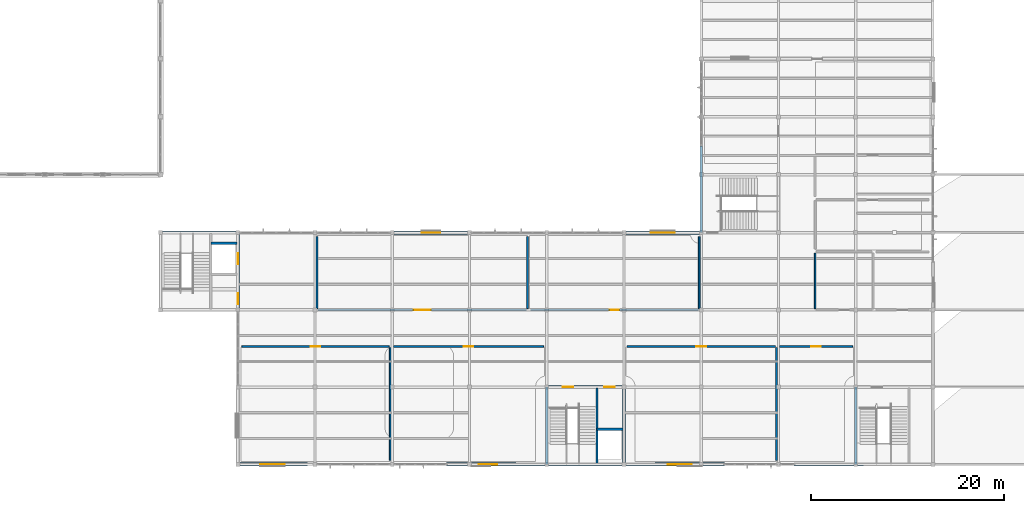
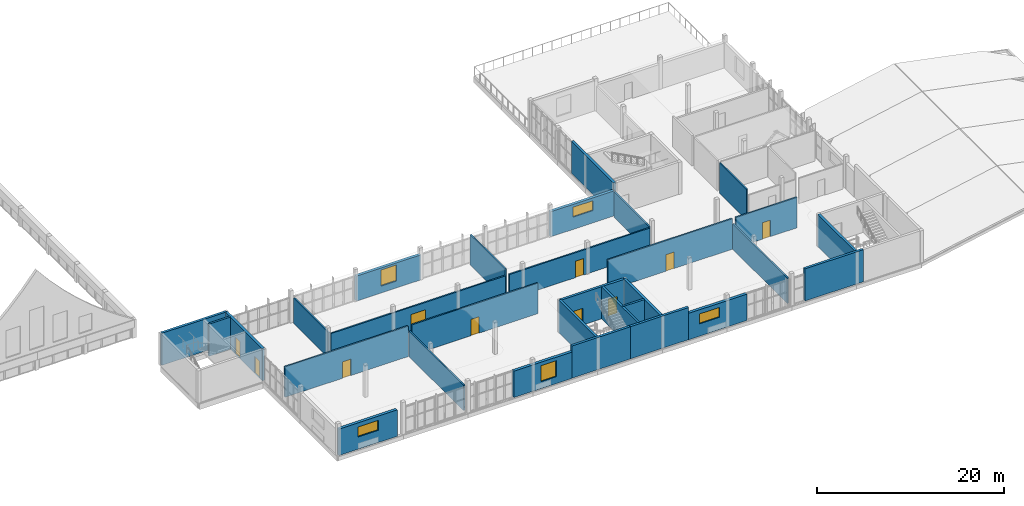
# One storey, part 36 of 45: 30 walls, 10 doors, 5 windows, 15 openings.
"""IFC4 building model written with IfcOpenShell, lengths in metres."""

import ifcopenshell
import ifcopenshell.guid

model = None  # the IFC model being written
_history = None  # IfcOwnerHistory: only IFC2X3 demands one
_inside = {}  # id of a spatial element -> (the spatial element, [elements in it])
_under = {}  # id of a project, library or spatial element -> (it, [spatial elements below it])
_declared = {}  # id of a project -> (the project, [libraries it declares])
_typed = {}  # id of a type object -> (the type object, [elements of that type])
_made_of = {}  # id of a material, layer set ... -> (it, [elements and type objects made of it])


def new_model(schema):
    """Start an empty IFC model of exactly this schema.

    Asked for "IFC4X3", IfcOpenShell would pick the latest addendum, in which some entities
    have other attributes; the version numbers below select the first issue.
    IFC2X3 requires an IfcOwnerHistory on every rooted entity: one is made here for all.
    """
    global model, _history
    if schema == "IFC4X3":
        model = ifcopenshell.file(schema_version=(4, 3, 0, 0))
    else:
        model = ifcopenshell.file(schema=schema)
    _inside.clear()
    _under.clear()
    _declared.clear()
    _typed.clear()
    _made_of.clear()
    _history = None
    if model.schema == "IFC2X3":
        org = make("IfcOrganization", Name="unknown")
        user = make(
            "IfcPersonAndOrganization",
            ThePerson=make("IfcPerson", FamilyName="unknown"),
            TheOrganization=org,
        )
        app = make(
            "IfcApplication",
            ApplicationDeveloper=org,
            Version="unknown",
            ApplicationFullName="unknown",
            ApplicationIdentifier="unknown",
        )
        _history = make(
            "IfcOwnerHistory",
            OwningUser=user,
            OwningApplication=app,
            ChangeAction="ADDED",
            CreationDate=0,
        )
    return model


def make(cls, **values):
    """One entity of the class cls with the attributes given. An attribute that is None is left unset."""
    return model.create_entity(
        cls, **{name: value for name, value in values.items() if value is not None}
    )


def rooted(cls, **values):
    """An entity with a GlobalId (a new one), such as an element, a storey or a relation."""
    return make(cls, GlobalId=ifcopenshell.guid.new(), OwnerHistory=_history, **values)


def si_unit(unit_type, name, prefix=None):
    """IfcSIUnit, for example si_unit("LENGTHUNIT", "METRE", prefix="MILLI")."""
    return make("IfcSIUnit", UnitType=unit_type, Prefix=prefix, Name=name)


def assignment(units):
    """IfcUnitAssignment: the units of a project."""
    return None if units is None else make("IfcUnitAssignment", Units=units)


def point(xyz):
    """IfcCartesianPoint."""
    return None if xyz is None else make("IfcCartesianPoint", Coordinates=xyz)


def direction(xyz):
    """IfcDirection."""
    return None if xyz is None else make("IfcDirection", DirectionRatios=xyz)


def frame(location, z_axis=None, x_axis=None):
    """IfcAxis2Placement3D, a coordinate frame: its origin and axes. An axis left out is left unset."""
    return make(
        "IfcAxis2Placement3D",
        Location=point(location),
        Axis=direction(z_axis),
        RefDirection=direction(x_axis),
    )


def frame_2d(location, x_axis=None):
    """IfcAxis2Placement2D, a coordinate frame in the plane: its origin and x axis."""
    return make(
        "IfcAxis2Placement2D", Location=point(location), RefDirection=direction(x_axis)
    )


def origin():
    """The frame at (0, 0, 0) with its axes left unset."""
    return frame((0.0, 0.0, 0.0))


def place(relative_to, where):
    """IfcLocalPlacement: puts the frame where relative to a parent placement (None: the world)."""
    return make(
        "IfcLocalPlacement", PlacementRelTo=relative_to, RelativePlacement=where
    )


def context(
    kind, dimensions, precision=None, world=None, true_north=None, identifier=None
):
    """IfcGeometricRepresentationContext, for example the 3D "Model" context."""
    return make(
        "IfcGeometricRepresentationContext",
        ContextIdentifier=identifier,
        ContextType=kind,
        CoordinateSpaceDimension=dimensions,
        Precision=precision,
        WorldCoordinateSystem=world,
        TrueNorth=true_north,
    )


def subcontext(parent, identifier, kind, view, scale=None):
    """IfcGeometricRepresentationSubContext, for example "Body" below "Model"."""
    return make(
        "IfcGeometricRepresentationSubContext",
        ContextIdentifier=identifier,
        ContextType=kind,
        ParentContext=parent,
        TargetScale=scale,
        TargetView=view,
    )


def project(units=None, contexts=None):
    """IfcProject with its units and contexts."""
    return rooted(
        "IfcProject",
        Name="project",
        RepresentationContexts=contexts,
        UnitsInContext=assignment(units),
    )


def spatial(cls, under=None, at=None, **own):
    """A site, building, storey or space (cls), placed at a placement, below another one or the project."""
    s = rooted(cls, ObjectPlacement=at, **own)
    if under is not None:
        _under.setdefault(under.id(), (under, []))[1].append(s)
    return s


def profile(cls, at=None, kind="AREA", **sizes):
    """A parametric profile (cls). Its sizes go by their IFC names, for example OverallWidth=200.0."""
    return make(cls, ProfileType=kind, Position=at, **sizes)


def rectangle(**sizes):
    """IfcRectangleProfileDef."""
    return profile("IfcRectangleProfileDef", **sizes)


def extrude(swept, where, along, depth):
    """IfcExtrudedAreaSolid: the profile swept, set in the frame where, extruded along a direction by depth."""
    return make(
        "IfcExtrudedAreaSolid",
        SweptArea=swept,
        Position=where,
        ExtrudedDirection=direction(along),
        Depth=depth,
    )


def shape(context_of_items, identifier, shape_type, items):
    """IfcShapeRepresentation: the items that make up one representation, for example the "Body"."""
    return make(
        "IfcShapeRepresentation",
        ContextOfItems=context_of_items,
        RepresentationIdentifier=identifier,
        RepresentationType=shape_type,
        Items=items,
    )


def material(Name=None, Category=None):
    """IfcMaterial."""
    return make("IfcMaterial", Name=Name, Category=Category)


def layer(
    of_material, thickness, ventilated=None, Name=None, Category=None, Priority=None
):
    """IfcMaterialLayer: one layer of a wall or slab, of a material (None: an air gap)."""
    return make(
        "IfcMaterialLayer",
        Material=of_material,
        LayerThickness=thickness,
        IsVentilated=ventilated,
        Name=Name,
        Category=Category,
        Priority=Priority,
    )


def layer_set(layers, Name=None):
    """IfcMaterialLayerSet."""
    return make("IfcMaterialLayerSet", MaterialLayers=layers, LayerSetName=Name)


def made_of(thing, what):
    """Note that an element or type object is made of a material, layer set ...; save() writes the relation."""
    if what is not None:
        _made_of.setdefault(what.id(), (what, []))[1].append(thing)
    return thing


def type_object(cls, material=None, **own):
    """A type object (cls), such as IfcWallType, which elements share."""
    return made_of(rooted(cls, **own), material)


def element(
    cls,
    number,
    at=None,
    inside=None,
    cuts=None,
    type_object=None,
    material=None,
    context=None,
    identifier="Body",
    shape_type=None,
    held_by="IfcProductDefinitionShape",
    body=None,
    shapes=None,
    **own,
):
    """One element of the class cls, such as IfcWall. Its Tag is "e" and its number.

    at: its placement. inside: the storey or other place that contains it. cuts: it is an
    opening in that element (IfcRelVoidsElement). A single representation is given by context,
    identifier, shape_type and body (its items); several are given by shapes. held_by: the class
    of the entity that holds the representations. save() writes the other relations.
    """
    e = rooted(cls, Tag="e%d" % number, ObjectPlacement=at, **own)
    if body is not None:
        shapes = [shape(context, identifier, shape_type, body)]
    if shapes is not None:
        e.Representation = make(held_by, Representations=shapes)
    if inside is not None:
        _inside.setdefault(inside.id(), (inside, []))[1].append(e)
    if cuts is not None:
        rooted(
            "IfcRelVoidsElement", RelatingBuildingElement=cuts, RelatedOpeningElement=e
        )
    if type_object is not None:
        _typed.setdefault(type_object.id(), (type_object, []))[1].append(e)
    return made_of(e, material)


def fill(opening, filler):
    """IfcRelFillsElement: the door or window that sits in an opening."""
    return rooted(
        "IfcRelFillsElement",
        RelatingOpeningElement=opening,
        RelatedBuildingElement=filler,
    )


def aggregate(whole, parts):
    """IfcRelAggregates: a whole, such as a stair, and the parts it consists of."""
    return rooted("IfcRelAggregates", RelatingObject=whole, RelatedObjects=parts)


def save(model, path):
    """Write the relations noted so far, then the file.

    IfcRelAggregates (storeys below a building ...), IfcRelContainedInSpatialStructure (elements
    in a storey), IfcRelDefinesByType, IfcRelAssociatesMaterial and IfcRelDeclares: one each for
    every whole, place, type object, material and project.
    """
    for whole, parts in _under.values():
        aggregate(whole, parts)
    for where, things in _inside.values():
        rooted(
            "IfcRelContainedInSpatialStructure",
            RelatedElements=things,
            RelatingStructure=where,
        )
    for kind, things in _typed.values():
        rooted("IfcRelDefinesByType", RelatedObjects=things, RelatingType=kind)
    for what, things in _made_of.values():
        rooted("IfcRelAssociatesMaterial", RelatedObjects=things, RelatingMaterial=what)
    for by, libraries in _declared.values():
        rooted("IfcRelDeclares", RelatingContext=by, RelatedDefinitions=libraries)
    model.write(path)


model = new_model("IFC4")

# Units and contexts
model_context = context("Model", 3, precision=1e-05, world=origin(), true_north=direction((0.0, 1.0)))
body_context = subcontext(model_context, "Body", "Model", "MODEL_VIEW")
ifc_project = project(units=[si_unit("LENGTHUNIT", "METRE"), si_unit("AREAUNIT", "SQUARE_METRE"), si_unit("VOLUMEUNIT", "CUBIC_METRE"), si_unit("PLANEANGLEUNIT", "RADIAN"), si_unit("MASSUNIT", "GRAM", prefix="KILO")], contexts=[model_context])

# Site, building, storey
site_placement = place(None, origin())
site = spatial("IfcSite", under=ifc_project, at=site_placement, CompositionType="ELEMENT")
building_placement = place(site_placement, origin())
building = spatial("IfcBuilding", under=site, at=building_placement, Name="Solvane Community Centre", CompositionType="ELEMENT")
storey_placement = place(building_placement, frame((0.0, 0.0, 13.800048828125)))
storey = spatial("IfcBuildingStorey", under=building, at=storey_placement, Name="L03", CompositionType="ELEMENT", Elevation=13.800048828125)

# Wall, opening, window
ifc_material_1 = material(Name="Precast concrete C35/45", Category="concrete")
ifc_layer_1 = layer(ifc_material_1, 0.35009765625)
ifc_layer_set_1 = layer_set([ifc_layer_1], Name="Precast concrete C35/45")
wall_type_1 = type_object("IfcWallType", Name="Art Deco Limestone Cavity Wall 350mm [72x34dm]", PredefinedType="SOLIDWALL", material=ifc_layer_set_1)
wall_1_placement = place(storey_placement, frame((118.39990234375, 6.0, 0.0), z_axis=(0.0, 0.0, 1.0), x_axis=(-1.0, 0.0, 0.0)))
wall_1 = element("IfcWall", 1, at=wall_1_placement, inside=storey, type_object=wall_type_1, Name="Exterior Wall WL-EXT-L03-0139", PredefinedType="SOLIDWALL", context=body_context, shape_type="SweptSolid", body=[
    extrude(rectangle(XDim=7.199951171875, YDim=0.35009765625, at=frame_2d((3.60009765625, 0.0))), origin(), (0.0, 0.0, 1.0), 3.445068359375),
])
opening_1_placement = place(wall_1_placement, frame((3.375, 0.0, 1.60009765625)))
opening_1 = element("IfcOpeningElement", 2, at=opening_1_placement, cuts=wall_1, Name="Opening WN16", PredefinedType="OPENING", context=body_context, shape_type="SweptSolid", body=[
    extrude(rectangle(XDim=2.5, YDim=1.300048828125, at=frame_2d((1.25, 0.64990234375))), frame((0.0, 0.18505859375, 0.0), z_axis=(0.0, -1.0, 0.0), x_axis=(1.0, 0.0, 0.0)), (0.0, 0.0, 1.0), 0.3701171875),
])
ifc_material_2 = material(Name="Tempered low-E double glazing", Category="glass")
window_type_1 = type_object("IfcWindowType", Name="Cloister Clerestory Window 2500x1300", PartitioningType="DOUBLE_PANEL_VERTICAL", PredefinedType="WINDOW", material=ifc_material_2)
window_1_placement = place(opening_1_placement, origin())
window_1 = element("IfcWindow", 3, at=window_1_placement, inside=storey, type_object=window_type_1, Name="L03-W061", OverallHeight=1.300048828125, OverallWidth=2.5, PartitioningType="DOUBLE_PANEL_VERTICAL", PredefinedType="WINDOW", context=body_context, shape_type="SweptSolid", body=[
    extrude(rectangle(XDim=2.5, YDim=1.300048828125, at=frame_2d((1.25, 0.64990234375))), frame((0.0, 0.030029296875, 0.0), z_axis=(0.0, -1.0, 0.0), x_axis=(1.0, 0.0, 0.0)), (0.0, 0.0, 1.0), 0.06005859375),
])
fill(opening_1, window_1)

wall_2_placement = place(storey_placement, frame((96.800048828125, 6.0, 0.0), z_axis=(0.0, 0.0, 1.0), x_axis=(-1.0, 0.0, 0.0)))
wall_2 = element("IfcWall", 4, at=wall_2_placement, inside=storey, type_object=wall_type_1, Name="Exterior Wall WL-EXT-L03-0142", PredefinedType="SOLIDWALL", context=body_context, shape_type="SweptSolid", body=[
    extrude(rectangle(XDim=7.199951171875, YDim=0.35009765625, at=frame_2d((3.60009765625, 0.0))), origin(), (0.0, 0.0, 1.0), 3.445068359375),
])
opening_2_placement = place(wall_2_placement, frame((1.945068359375, 0.0, 0.89990234375)))
opening_2 = element("IfcOpeningElement", 5, at=opening_2_placement, cuts=wall_2, Name="Opening WN15", PredefinedType="OPENING", context=body_context, shape_type="SweptSolid", body=[
    extrude(rectangle(XDim=1.89990234375, YDim=2.10009765625, at=frame_2d((0.949951171875, 1.050048828125))), frame((0.0, 0.18505859375, 0.0), z_axis=(0.0, -1.0, 0.0), x_axis=(1.0, 0.0, 0.0)), (0.0, 0.0, 1.0), 0.3701171875),
])
window_type_2 = type_object("IfcWindowType", Name="Belvedere Seminar Window 1900x2100", PartitioningType="DOUBLE_PANEL_VERTICAL", PredefinedType="WINDOW", material=ifc_material_2)
window_2_placement = place(opening_2_placement, origin())
window_2 = element("IfcWindow", 6, at=window_2_placement, inside=storey, type_object=window_type_2, Name="L03-W062", OverallHeight=2.10009765625, OverallWidth=1.89990234375, PartitioningType="DOUBLE_PANEL_VERTICAL", PredefinedType="WINDOW", context=body_context, shape_type="SweptSolid", body=[
    extrude(rectangle(XDim=1.89990234375, YDim=2.10009765625, at=frame_2d((0.949951171875, 1.050048828125))), frame((0.0, 0.030029296875, 0.0), z_axis=(0.0, -1.0, 0.0), x_axis=(1.0, 0.0, 0.0)), (0.0, 0.0, 1.0), 0.06005859375),
])
fill(opening_2, window_2)

wall_3_placement = place(storey_placement, frame((75.199951171875, 6.0, 0.0), z_axis=(0.0, 0.0, 1.0), x_axis=(-1.0, 0.0, 0.0)))
wall_3 = element("IfcWall", 7, at=wall_3_placement, inside=storey, type_object=wall_type_1, Name="Exterior Wall WL-EXT-L03-0143", PredefinedType="SOLIDWALL", context=body_context, shape_type="SweptSolid", body=[
    extrude(rectangle(XDim=7.199951171875, YDim=0.35009765625, at=frame_2d((3.60009765625, 0.0))), origin(), (0.0, 0.0, 1.0), 3.445068359375),
])
opening_3_placement = place(wall_3_placement, frame((2.35009765625, 0.0, 1.60009765625)))
opening_3 = element("IfcOpeningElement", 8, at=opening_3_placement, cuts=wall_3, Name="Opening WN16", PredefinedType="OPENING", context=body_context, shape_type="SweptSolid", body=[
    extrude(rectangle(XDim=2.5, YDim=1.300048828125, at=frame_2d((1.25, 0.64990234375))), frame((0.0, 0.18505859375, 0.0), z_axis=(0.0, -1.0, 0.0), x_axis=(1.0, 0.0, 0.0)), (0.0, 0.0, 1.0), 0.3701171875),
])
window_3_placement = place(opening_3_placement, origin())
window_3 = element("IfcWindow", 9, at=window_3_placement, inside=storey, type_object=window_type_1, Name="L03-W063", OverallHeight=1.300048828125, OverallWidth=2.5, PartitioningType="DOUBLE_PANEL_VERTICAL", PredefinedType="WINDOW", context=body_context, shape_type="SweptSolid", body=[
    extrude(rectangle(XDim=2.5, YDim=1.300048828125, at=frame_2d((1.25, 0.64990234375))), frame((0.0, 0.030029296875, 0.0), z_axis=(0.0, -1.0, 0.0), x_axis=(1.0, 0.0, 0.0)), (0.0, 0.0, 1.0), 0.06005859375),
])
fill(opening_3, window_3)

ifc_layer_2 = layer(ifc_material_1, 0.35009765625)
ifc_layer_set_2 = layer_set([ifc_layer_2], Name="Precast concrete C35/45")
wall_type_2 = type_object("IfcWallType", Name="Art Deco Limestone Cavity Wall 350mm [80x33dm]", PredefinedType="SOLIDWALL", material=ifc_layer_set_2)
wall_4_placement = place(storey_placement, frame((84.0, 30.0, 0.0), z_axis=(0.0, 0.0, 1.0), x_axis=(1.0, 0.0, 0.0)))
wall_4 = element("IfcWall", 10, at=wall_4_placement, inside=storey, type_object=wall_type_2, Name="Exterior Wall WL-EXT-L03-0146", PredefinedType="SOLIDWALL", context=body_context, shape_type="SweptSolid", body=[
    extrude(rectangle(XDim=8.0, YDim=0.35009765625, at=frame_2d((4.0, 0.0))), origin(), (0.0, 0.0, 1.0), 3.264892578125),
])
opening_4_placement = place(wall_4_placement, frame((3.050048828125, 0.0, 0.89990234375)))
opening_4 = element("IfcOpeningElement", 11, at=opening_4_placement, cuts=wall_4, Name="Opening WN15", PredefinedType="OPENING", context=body_context, shape_type="SweptSolid", body=[
    extrude(rectangle(XDim=1.89990234375, YDim=2.10009765625, at=frame_2d((0.949951171875, 1.050048828125))), frame((0.0, 0.18505859375, 0.0), z_axis=(0.0, -1.0, 0.0), x_axis=(1.0, 0.0, 0.0)), (0.0, 0.0, 1.0), 0.3701171875),
])
window_4_placement = place(opening_4_placement, origin())
window_4 = element("IfcWindow", 12, at=window_4_placement, inside=storey, type_object=window_type_2, Name="L03-W065", OverallHeight=2.10009765625, OverallWidth=1.89990234375, PartitioningType="DOUBLE_PANEL_VERTICAL", PredefinedType="WINDOW", context=body_context, shape_type="SweptSolid", body=[
    extrude(rectangle(XDim=1.89990234375, YDim=2.10009765625, at=frame_2d((0.949951171875, 1.050048828125))), frame((0.0, 0.030029296875, 0.0), z_axis=(0.0, -1.0, 0.0), x_axis=(1.0, 0.0, 0.0)), (0.0, 0.0, 1.0), 0.06005859375),
])
fill(opening_4, window_4)

wall_5_placement = place(storey_placement, frame((108.0, 30.0, 0.0), z_axis=(0.0, 0.0, 1.0), x_axis=(1.0, 0.0, 0.0)))
wall_5 = element("IfcWall", 13, at=wall_5_placement, inside=storey, type_object=wall_type_2, Name="Exterior Wall WL-EXT-L03-0147", PredefinedType="SOLIDWALL", context=body_context, shape_type="SweptSolid", body=[
    extrude(rectangle(XDim=8.0, YDim=0.35009765625, at=frame_2d((4.0, 0.0))), origin(), (0.0, 0.0, 1.0), 3.264892578125),
])
opening_5_placement = place(wall_5_placement, frame((2.75, 0.0, 1.60009765625)))
opening_5 = element("IfcOpeningElement", 14, at=opening_5_placement, cuts=wall_5, Name="Opening WN16", PredefinedType="OPENING", context=body_context, shape_type="SweptSolid", body=[
    extrude(rectangle(XDim=2.5, YDim=1.300048828125, at=frame_2d((1.25, 0.64990234375))), frame((0.0, 0.18505859375, 0.0), z_axis=(0.0, -1.0, 0.0), x_axis=(1.0, 0.0, 0.0)), (0.0, 0.0, 1.0), 0.3701171875),
])
window_5_placement = place(opening_5_placement, origin())
window_5 = element("IfcWindow", 15, at=window_5_placement, inside=storey, type_object=window_type_1, Name="L03-W066", OverallHeight=1.300048828125, OverallWidth=2.5, PartitioningType="DOUBLE_PANEL_VERTICAL", PredefinedType="WINDOW", context=body_context, shape_type="SweptSolid", body=[
    extrude(rectangle(XDim=2.5, YDim=1.300048828125, at=frame_2d((1.25, 0.64990234375))), frame((0.0, 0.030029296875, 0.0), z_axis=(0.0, -1.0, 0.0), x_axis=(1.0, 0.0, 0.0)), (0.0, 0.0, 1.0), 0.06005859375),
])
fill(opening_5, window_5)

# Walls
ifc_material_3 = material(Name="Gypsum board partition")
ifc_layer_3 = layer(ifc_material_3, 0.179931640625)
ifc_layer_set_3 = layer_set([ifc_layer_3], Name="Gypsum board partition")
wall_type_3 = type_object("IfcWallType", Name="Protected Corridor Wall 180mm [117x33dm]", PredefinedType="PARTITIONING", material=ifc_layer_set_3)
for number, where, z_axis, x_axis, name in (
    (16, (83.800048828125, 6.419921875, 0.0), (0.0, 0.0, 1.0), (0.0, 1.0, 0.0), "Interior Wall WL-INT-L03-0337"),
    (17, (123.800048828125, 6.419921875, 0.0), (0.0, 0.0, 1.0), (0.0, 1.0, 0.0), "Interior Wall WL-INT-L03-0343"),
):
    element("IfcWall", number, at=place(storey_placement, frame(where, z_axis=z_axis, x_axis=x_axis)), inside=storey, type_object=wall_type_3, Name=name, PredefinedType="PARTITIONING", context=body_context, shape_type="SweptSolid", body=[
        extrude(rectangle(XDim=11.66015625, YDim=0.179931640625, at=frame_2d((5.830078125, 0.0))), origin(), (0.0, 0.0, 1.0), 3.324951171875),
    ])

# Wall, opening, door
ifc_layer_4 = layer(ifc_material_3, 0.179931640625)
ifc_layer_set_4 = layer_set([ifc_layer_4], Name="Gypsum board partition")
wall_type_4 = type_object("IfcWallType", Name="Protected Corridor Wall 180mm [153x40dm]", PredefinedType="PARTITIONING", material=ifc_layer_set_4)
wall_6_placement = place(storey_placement, frame((83.679931640625, 18.199951171875, 0.0), z_axis=(0.0, 0.0, 1.0), x_axis=(-1.0, 0.0, 0.0)))
wall_6 = element("IfcWall", 18, at=wall_6_placement, inside=storey, type_object=wall_type_4, Name="Interior Wall WL-INT-L03-0336", PredefinedType="PARTITIONING", context=body_context, shape_type="SweptSolid", body=[
    extrude(rectangle(XDim=15.260009765625, YDim=0.179931640625, at=frame_2d((7.6298828125, 0.0))), origin(), (0.0, 0.0, 1.0), 3.97998046875),
])
opening_6_placement = place(wall_6_placement, frame((7.1298828125, 0.0, 0.0)))
opening_6 = element("IfcOpeningElement", 19, at=opening_6_placement, cuts=wall_6, Name="Opening ID01", PredefinedType="OPENING", context=body_context, shape_type="SweptSolid", body=[
    extrude(rectangle(XDim=1.0, YDim=2.14990234375, at=frame_2d((0.5, 1.074951171875))), frame((0.0, 0.099853515625, 0.0), z_axis=(0.0, -1.0, 0.0), x_axis=(1.0, 0.0, 0.0)), (0.0, 0.0, 1.0), 0.199951171875),
])
ifc_material_4 = material(Name="Anodised bronze aluminium AW-6063 T6", Category="aluminium")
door_type_1 = type_object("IfcDoorType", Name="Corridor Rated Classroom Door 1000x2150", OperationType="NOTDEFINED", PredefinedType="DOOR", material=ifc_material_4)
door_1_placement = place(opening_6_placement, origin())
door_1 = element("IfcDoor", 20, at=door_1_placement, inside=storey, type_object=door_type_1, Name="L03-D133", OperationType="SINGLE_SWING_RIGHT", OverallHeight=2.14990234375, OverallWidth=1.0, PredefinedType="DOOR", context=body_context, shape_type="SweptSolid", body=[
    extrude(rectangle(XDim=1.0, YDim=2.14990234375, at=frame_2d((0.5, 1.074951171875))), frame((0.0, 0.02490234375, 0.0), z_axis=(0.0, -1.0, 0.0), x_axis=(1.0, 0.0, 0.0)), (0.0, 0.0, 1.0), 0.050048828125),
])
fill(opening_6, door_1)

ifc_layer_5 = layer(ifc_material_3, 0.179931640625)
ifc_layer_set_5 = layer_set([ifc_layer_5], Name="Gypsum board partition")
wall_type_5 = type_object("IfcWallType", Name="Protected Corridor Wall 180mm [154x40dm]", PredefinedType="PARTITIONING", material=ifc_layer_set_5)
wall_7_placement = place(storey_placement, frame((123.679931640625, 18.199951171875, 0.0), z_axis=(0.0, 0.0, 1.0), x_axis=(-1.0, 0.0, 0.0)))
wall_7 = element("IfcWall", 21, at=wall_7_placement, inside=storey, type_object=wall_type_5, Name="Interior Wall WL-INT-L03-0342", PredefinedType="PARTITIONING", context=body_context, shape_type="SweptSolid", body=[
    extrude(rectangle(XDim=15.35986328125, YDim=0.179931640625, at=frame_2d((7.679931640625, 0.0))), origin(), (0.0, 0.0, 1.0), 3.97998046875),
])
opening_7_placement = place(wall_7_placement, frame((7.179931640625, 0.0, 0.0)))
opening_7 = element("IfcOpeningElement", 22, at=opening_7_placement, cuts=wall_7, Name="Opening ID01", PredefinedType="OPENING", context=body_context, shape_type="SweptSolid", body=[
    extrude(rectangle(XDim=1.0, YDim=2.14990234375, at=frame_2d((0.5, 1.074951171875))), frame((0.0, 0.099853515625, 0.0), z_axis=(0.0, -1.0, 0.0), x_axis=(1.0, 0.0, 0.0)), (0.0, 0.0, 1.0), 0.199951171875),
])
door_2_placement = place(opening_7_placement, origin())
door_2 = element("IfcDoor", 23, at=door_2_placement, inside=storey, type_object=door_type_1, Name="L03-D136", OperationType="SINGLE_SWING_RIGHT", OverallHeight=2.14990234375, OverallWidth=1.0, PredefinedType="DOOR", context=body_context, shape_type="SweptSolid", body=[
    extrude(rectangle(XDim=1.0, YDim=2.14990234375, at=frame_2d((0.5, 1.074951171875))), frame((0.0, 0.02490234375, 0.0), z_axis=(0.0, -1.0, 0.0), x_axis=(1.0, 0.0, 0.0)), (0.0, 0.0, 1.0), 0.050048828125),
])
fill(opening_7, door_2)

ifc_layer_6 = layer(ifc_material_3, 0.179931640625)
ifc_layer_set_6 = layer_set([ifc_layer_6], Name="Gypsum board partition")
wall_type_6 = type_object("IfcWallType", Name="Protected Corridor Wall 180mm [156x40dm]", PredefinedType="PARTITIONING", material=ifc_layer_set_6)
wall_8_placement = place(storey_placement, frame((99.679931640625, 18.199951171875, 0.0), z_axis=(0.0, 0.0, 1.0), x_axis=(-1.0, 0.0, 0.0)))
wall_8 = element("IfcWall", 24, at=wall_8_placement, inside=storey, type_object=wall_type_6, Name="Interior Wall WL-INT-L03-0338", PredefinedType="PARTITIONING", context=body_context, shape_type="SweptSolid", body=[
    extrude(rectangle(XDim=15.559814453125, YDim=0.179931640625, at=frame_2d((7.77978515625, 0.0))), origin(), (0.0, 0.0, 1.0), 3.97998046875),
])
opening_8_placement = place(wall_8_placement, frame((7.280029296875, 0.0, 0.0)))
opening_8 = element("IfcOpeningElement", 25, at=opening_8_placement, cuts=wall_8, Name="Opening ID01", PredefinedType="OPENING", context=body_context, shape_type="SweptSolid", body=[
    extrude(rectangle(XDim=1.0, YDim=2.14990234375, at=frame_2d((0.5, 1.074951171875))), frame((0.0, 0.099853515625, 0.0), z_axis=(0.0, -1.0, 0.0), x_axis=(1.0, 0.0, 0.0)), (0.0, 0.0, 1.0), 0.199951171875),
])
door_3_placement = place(opening_8_placement, origin())
door_3 = element("IfcDoor", 26, at=door_3_placement, inside=storey, type_object=door_type_1, Name="L03-D134", OperationType="SINGLE_SWING_LEFT", OverallHeight=2.14990234375, OverallWidth=1.0, PredefinedType="DOOR", context=body_context, shape_type="SweptSolid", body=[
    extrude(rectangle(XDim=1.0, YDim=2.14990234375, at=frame_2d((0.5, 1.074951171875))), frame((0.0, 0.02490234375, 0.0), z_axis=(0.0, -1.0, 0.0), x_axis=(1.0, 0.0, 0.0)), (0.0, 0.0, 1.0), 0.050048828125),
])
fill(opening_8, door_3)

ifc_layer_7 = layer(ifc_material_3, 0.179931640625)
ifc_layer_set_7 = layer_set([ifc_layer_7], Name="Gypsum board partition")
wall_type_7 = type_object("IfcWallType", Name="Protected Corridor Wall 180mm [174x33dm]", PredefinedType="PARTITIONING", material=ifc_layer_set_7)
wall_9_placement = place(storey_placement, frame((98.320068359375, 22.0, 0.0), z_axis=(0.0, 0.0, 1.0), x_axis=(1.0, 0.0, 0.0)))
wall_9 = element("IfcWall", 27, at=wall_9_placement, inside=storey, type_object=wall_type_7, Name="Interior Wall WL-INT-L03-0345", PredefinedType="PARTITIONING", context=body_context, shape_type="SweptSolid", body=[
    extrude(rectangle(XDim=17.35986328125, YDim=0.179931640625, at=frame_2d((8.679931640625, 0.0))), origin(), (0.0, 0.0, 1.0), 3.264892578125),
])
opening_9_placement = place(wall_9_placement, frame((8.179931640625, 0.0, 0.0)))
opening_9 = element("IfcOpeningElement", 28, at=opening_9_placement, cuts=wall_9, Name="Opening ID01", PredefinedType="OPENING", context=body_context, shape_type="SweptSolid", body=[
    extrude(rectangle(XDim=1.0, YDim=2.14990234375, at=frame_2d((0.5, 1.074951171875))), frame((0.0, 0.099853515625, 0.0), z_axis=(0.0, -1.0, 0.0), x_axis=(1.0, 0.0, 0.0)), (0.0, 0.0, 1.0), 0.199951171875),
])
door_4_placement = place(opening_9_placement, origin())
door_4 = element("IfcDoor", 29, at=door_4_placement, inside=storey, type_object=door_type_1, Name="L03-D138", OperationType="SINGLE_SWING_RIGHT", OverallHeight=2.14990234375, OverallWidth=1.0, PredefinedType="DOOR", context=body_context, shape_type="SweptSolid", body=[
    extrude(rectangle(XDim=1.0, YDim=2.14990234375, at=frame_2d((0.5, 1.074951171875))), frame((0.0, 0.02490234375, 0.0), z_axis=(0.0, -1.0, 0.0), x_axis=(1.0, 0.0, 0.0)), (0.0, 0.0, 1.0), 0.050048828125),
])
fill(opening_9, door_4)

ifc_layer_8 = layer(ifc_material_3, 0.179931640625)
ifc_layer_set_8 = layer_set([ifc_layer_8], Name="Gypsum board partition")
wall_type_8 = type_object("IfcWallType", Name="Protected Corridor Wall 180mm [216x33dm]", PredefinedType="PARTITIONING", material=ifc_layer_set_8)
wall_10_placement = place(storey_placement, frame((76.320068359375, 22.0, 0.0), z_axis=(0.0, 0.0, 1.0), x_axis=(1.0, 0.0, 0.0)))
wall_10 = element("IfcWall", 30, at=wall_10_placement, inside=storey, type_object=wall_type_8, Name="Interior Wall WL-INT-L03-0339", PredefinedType="PARTITIONING", context=body_context, shape_type="SweptSolid", body=[
    extrude(rectangle(XDim=21.559814453125, YDim=0.179931640625, at=frame_2d((10.77978515625, 0.0))), origin(), (0.0, 0.0, 1.0), 3.264892578125),
])
opening_10_placement = place(wall_10_placement, frame((9.8798828125, 0.0, 0.0)))
opening_10 = element("IfcOpeningElement", 31, at=opening_10_placement, cuts=wall_10, Name="Opening ID02", PredefinedType="OPENING", context=body_context, shape_type="SweptSolid", body=[
    extrude(rectangle(XDim=1.800048828125, YDim=2.300048828125, at=frame_2d((0.89990234375, 1.14990234375))), frame((0.0, 0.099853515625, 0.0), z_axis=(0.0, -1.0, 0.0), x_axis=(1.0, 0.0, 0.0)), (0.0, 0.0, 1.0), 0.199951171875),
])
door_type_2 = type_object("IfcDoorType", Name="Hall Acoustic Double Door 1800x2300", OperationType="NOTDEFINED", PredefinedType="DOOR", material=ifc_material_4)
door_5_placement = place(opening_10_placement, origin())
door_5 = element("IfcDoor", 32, at=door_5_placement, inside=storey, type_object=door_type_2, Name="L03-D135", OperationType="DOUBLE_DOOR_SINGLE_SWING", OverallHeight=2.300048828125, OverallWidth=1.800048828125, PredefinedType="DOOR", context=body_context, shape_type="SweptSolid", body=[
    extrude(rectangle(XDim=1.800048828125, YDim=2.300048828125, at=frame_2d((0.89990234375, 1.14990234375))), frame((0.0, 0.02490234375, 0.0), z_axis=(0.0, -1.0, 0.0), x_axis=(1.0, 0.0, 0.0)), (0.0, 0.0, 1.0), 0.050048828125),
])
fill(opening_10, door_5)

# Walls
ifc_layer_9 = layer(ifc_material_3, 0.179931640625)
ifc_layer_set_9 = layer_set([ifc_layer_9], Name="Gypsum board partition")
wall_type_9 = type_object("IfcWallType", Name="Protected Corridor Wall 180mm [75x33dm]", PredefinedType="PARTITIONING", material=ifc_layer_set_9)
for number, where, z_axis, x_axis, name in (
    (33, (76.199951171875, 29.580078125, 0.0), (0.0, 0.0, 1.0), (0.0, -1.0, 0.0), "Interior Wall WL-INT-L03-0340"),
    (34, (115.800048828125, 22.1201171875, 0.0), (0.0, 0.0, 1.0), (0.0, 1.0, 0.0), "Interior Wall WL-INT-L03-0346"),
):
    element("IfcWall", number, at=place(storey_placement, frame(where, z_axis=z_axis, x_axis=x_axis)), inside=storey, type_object=wall_type_9, Name=name, PredefinedType="PARTITIONING", context=body_context, shape_type="SweptSolid", body=[
        extrude(rectangle(XDim=7.4599609375, YDim=0.179931640625, at=frame_2d((3.72998046875, 0.0))), origin(), (0.0, 0.0, 1.0), 3.324951171875),
    ])
ifc_layer_10 = layer(ifc_material_3, 0.179931640625)
ifc_layer_set_10 = layer_set([ifc_layer_10], Name="Gypsum board partition")
wall_type_10 = type_object("IfcWallType", Name="Protected Corridor Wall 180mm [75x40dm]", PredefinedType="PARTITIONING", material=ifc_layer_set_10)
wall_11_placement = place(storey_placement, frame((98.0, 22.1201171875, 0.0), z_axis=(0.0, 0.0, 1.0), x_axis=(0.0, 1.0, 0.0)))
element("IfcWall", 35, at=wall_11_placement, inside=storey, type_object=wall_type_10, Name="Interior Wall WL-INT-L03-0341", PredefinedType="PARTITIONING", context=body_context, shape_type="SweptSolid", body=[
    extrude(rectangle(XDim=7.4599609375, YDim=0.179931640625, at=frame_2d((3.72998046875, 0.0))), origin(), (0.0, 0.0, 1.0), 3.97998046875),
])

# Wall, opening, door
ifc_layer_11 = layer(ifc_material_3, 0.179931640625)
ifc_layer_set_11 = layer_set([ifc_layer_11], Name="Gypsum board partition")
wall_type_11 = type_object("IfcWallType", Name="Protected Corridor Wall 180mm [76x40dm]", PredefinedType="PARTITIONING", material=ifc_layer_set_11)
wall_12_placement = place(storey_placement, frame((131.679931640625, 18.199951171875, 0.0), z_axis=(0.0, 0.0, 1.0), x_axis=(-1.0, 0.0, 0.0)))
wall_12 = element("IfcWall", 36, at=wall_12_placement, inside=storey, type_object=wall_type_11, Name="Interior Wall WL-INT-L03-0344", PredefinedType="PARTITIONING", context=body_context, shape_type="SweptSolid", body=[
    extrude(rectangle(XDim=7.559814453125, YDim=0.179931640625, at=frame_2d((3.77978515625, 0.0))), origin(), (0.0, 0.0, 1.0), 3.97998046875),
])
opening_11_placement = place(wall_12_placement, frame((3.280029296875, 0.0, 0.0)))
opening_11 = element("IfcOpeningElement", 37, at=opening_11_placement, cuts=wall_12, Name="Opening ID01", PredefinedType="OPENING", context=body_context, shape_type="SweptSolid", body=[
    extrude(rectangle(XDim=1.0, YDim=2.14990234375, at=frame_2d((0.5, 1.074951171875))), frame((0.0, 0.099853515625, 0.0), z_axis=(0.0, -1.0, 0.0), x_axis=(1.0, 0.0, 0.0)), (0.0, 0.0, 1.0), 0.199951171875),
])
door_6_placement = place(opening_11_placement, origin())
door_6 = element("IfcDoor", 38, at=door_6_placement, inside=storey, type_object=door_type_1, Name="L03-D137", OperationType="SINGLE_SWING_LEFT", OverallHeight=2.14990234375, OverallWidth=1.0, PredefinedType="DOOR", context=body_context, shape_type="SweptSolid", body=[
    extrude(rectangle(XDim=1.0, YDim=2.14990234375, at=frame_2d((0.5, 1.074951171875))), frame((0.0, 0.02490234375, 0.0), z_axis=(0.0, -1.0, 0.0), x_axis=(1.0, 0.0, 0.0)), (0.0, 0.0, 1.0), 0.050048828125),
])
fill(opening_11, door_6)

# Wall, openings, doors
ifc_material_5 = material(Name="Concrete C35/45", Category="concrete")
ifc_layer_12 = layer(ifc_material_5, 0.300048828125)
ifc_layer_set_12 = layer_set([ifc_layer_12], Name="Concrete C35/45")
wall_type_12 = type_object("IfcWallType", Name="RC Core Shear Wall 300mm [80x42dm]", PredefinedType="SHEAR", material=ifc_layer_set_12)
wall_13_placement = place(storey_placement, frame((68.0, 30.0, 0.0), z_axis=(0.0, 0.0, 1.0), x_axis=(0.0, -1.0, 0.0)))
wall_13 = element("IfcWall", 39, at=wall_13_placement, inside=storey, type_object=wall_type_12, Name="Interior Wall WL-INT-L03-0019", PredefinedType="SHEAR", context=body_context, shape_type="SweptSolid", body=[
    extrude(rectangle(XDim=8.0, YDim=0.300048828125, at=frame_2d((4.0, 0.0))), origin(), (0.0, 0.0, 1.0), 4.199951171875),
])
opening_12_placement = place(wall_13_placement, frame((6.300048828125, 0.0, 0.0)))
opening_12 = element("IfcOpeningElement", 40, at=opening_12_placement, cuts=wall_13, Name="Opening SD02", PredefinedType="OPENING", context=body_context, shape_type="SweptSolid", body=[
    extrude(rectangle(XDim=1.10009765625, YDim=2.199951171875, at=frame_2d((0.550048828125, 1.10009765625))), frame((0.0, 0.159912109375, 0.0), z_axis=(0.0, -1.0, 0.0), x_axis=(1.0, 0.0, 0.0)), (0.0, 0.0, 1.0), 0.320068359375),
])
opening_13_placement = place(wall_13_placement, frame((2.14990234375, 0.0, 0.0)))
opening_13 = element("IfcOpeningElement", 41, at=opening_13_placement, cuts=wall_13, Name="Opening LD01", PredefinedType="OPENING", context=body_context, shape_type="SweptSolid", body=[
    extrude(rectangle(XDim=1.10009765625, YDim=2.199951171875, at=frame_2d((0.550048828125, 1.10009765625))), frame((0.0, 0.159912109375, 0.0), z_axis=(0.0, -1.0, 0.0), x_axis=(1.0, 0.0, 0.0)), (0.0, 0.0, 1.0), 0.320068359375),
])
door_type_3 = type_object("IfcDoorType", Name="Core Stair Fire Door 1100x2200", OperationType="NOTDEFINED", PredefinedType="DOOR", material=ifc_material_4)
door_7_placement = place(opening_12_placement, origin())
door_7 = element("IfcDoor", 42, at=door_7_placement, inside=storey, type_object=door_type_3, Name="L03-D007", OperationType="SINGLE_SWING_RIGHT", OverallHeight=2.199951171875, OverallWidth=1.10009765625, PredefinedType="DOOR", context=body_context, shape_type="SweptSolid", body=[
    extrude(rectangle(XDim=1.10009765625, YDim=2.199951171875, at=frame_2d((0.550048828125, 1.10009765625))), frame((0.0, 0.02490234375, 0.0), z_axis=(0.0, -1.0, 0.0), x_axis=(1.0, 0.0, 0.0)), (0.0, 0.0, 1.0), 0.050048828125),
])
fill(opening_12, door_7)
door_type_4 = type_object("IfcDoorType", Name="Lift Sliding Landing Door 1100x2200", OperationType="NOTDEFINED", PredefinedType="DOOR", material=ifc_material_4)
door_8_placement = place(opening_13_placement, origin())
door_8 = element("IfcDoor", 43, at=door_8_placement, inside=storey, type_object=door_type_4, Name="L03-D008", OperationType="SLIDING_TO_LEFT", OverallHeight=2.199951171875, OverallWidth=1.10009765625, PredefinedType="DOOR", context=body_context, shape_type="SweptSolid", body=[
    extrude(rectangle(XDim=1.10009765625, YDim=2.199951171875, at=frame_2d((0.550048828125, 1.10009765625))), frame((0.0, 0.02490234375, 0.0), z_axis=(0.0, -1.0, 0.0), x_axis=(1.0, 0.0, 0.0)), (0.0, 0.0, 1.0), 0.050048828125),
])
fill(opening_13, door_8)

# Wall
wall_14_placement = place(storey_placement, frame((100.0, 6.0, 0.0), z_axis=(0.0, 0.0, 1.0), x_axis=(0.0, 1.0, 0.0)))
element("IfcWall", 44, at=wall_14_placement, inside=storey, type_object=wall_type_12, Name="Interior Wall WL-INT-L03-0044", PredefinedType="SHEAR", context=body_context, shape_type="SweptSolid", body=[
    extrude(rectangle(XDim=8.0, YDim=0.300048828125, at=frame_2d((4.0, 0.0))), origin(), (0.0, 0.0, 1.0), 4.199951171875),
])

# Wall, openings, doors
wall_15_placement = place(storey_placement, frame((100.0, 14.0, 0.0), z_axis=(0.0, 0.0, 1.0), x_axis=(1.0, 0.0, 0.0)))
wall_15 = element("IfcWall", 45, at=wall_15_placement, inside=storey, type_object=wall_type_12, Name="Interior Wall WL-INT-L03-0045", PredefinedType="SHEAR", context=body_context, shape_type="SweptSolid", body=[
    extrude(rectangle(XDim=8.0, YDim=0.300048828125, at=frame_2d((4.0, 0.0))), origin(), (0.0, 0.0, 1.0), 4.199951171875),
])
opening_14_placement = place(wall_15_placement, frame((1.64990234375, 0.0, 0.0)))
opening_14 = element("IfcOpeningElement", 46, at=opening_14_placement, cuts=wall_15, Name="Opening SD02", PredefinedType="OPENING", context=body_context, shape_type="SweptSolid", body=[
    extrude(rectangle(XDim=1.10009765625, YDim=2.199951171875, at=frame_2d((0.550048828125, 1.10009765625))), frame((0.0, 0.159912109375, 0.0), z_axis=(0.0, -1.0, 0.0), x_axis=(1.0, 0.0, 0.0)), (0.0, 0.0, 1.0), 0.320068359375),
])
opening_15_placement = place(wall_15_placement, frame((5.949951171875, 0.0, 0.0)))
opening_15 = element("IfcOpeningElement", 47, at=opening_15_placement, cuts=wall_15, Name="Opening LD01", PredefinedType="OPENING", context=body_context, shape_type="SweptSolid", body=[
    extrude(rectangle(XDim=1.10009765625, YDim=2.199951171875, at=frame_2d((0.550048828125, 1.10009765625))), frame((0.0, 0.159912109375, 0.0), z_axis=(0.0, -1.0, 0.0), x_axis=(1.0, 0.0, 0.0)), (0.0, 0.0, 1.0), 0.320068359375),
])
door_9_placement = place(opening_14_placement, origin())
door_9 = element("IfcDoor", 48, at=door_9_placement, inside=storey, type_object=door_type_3, Name="L03-D018", OperationType="SINGLE_SWING_RIGHT", OverallHeight=2.199951171875, OverallWidth=1.10009765625, PredefinedType="DOOR", context=body_context, shape_type="SweptSolid", body=[
    extrude(rectangle(XDim=1.10009765625, YDim=2.199951171875, at=frame_2d((0.550048828125, 1.10009765625))), frame((0.0, 0.02490234375, 0.0), z_axis=(0.0, -1.0, 0.0), x_axis=(1.0, 0.0, 0.0)), (0.0, 0.0, 1.0), 0.050048828125),
])
fill(opening_14, door_9)
door_10_placement = place(opening_15_placement, origin())
door_10 = element("IfcDoor", 49, at=door_10_placement, inside=storey, type_object=door_type_4, Name="L03-D019", OperationType="SLIDING_TO_LEFT", OverallHeight=2.199951171875, OverallWidth=1.10009765625, PredefinedType="DOOR", context=body_context, shape_type="SweptSolid", body=[
    extrude(rectangle(XDim=1.10009765625, YDim=2.199951171875, at=frame_2d((0.550048828125, 1.10009765625))), frame((0.0, 0.02490234375, 0.0), z_axis=(0.0, -1.0, 0.0), x_axis=(1.0, 0.0, 0.0)), (0.0, 0.0, 1.0), 0.050048828125),
])
fill(opening_15, door_10)

# Walls
for number, where, z_axis, x_axis, name in (
    (50, (108.0, 14.0, 0.0), (0.0, 0.0, 1.0), (0.0, -1.0, 0.0), "Interior Wall WL-INT-L03-0046"),
    (51, (132.0, 6.0, 0.0), (0.0, 0.0, 1.0), (0.0, 1.0, 0.0), "Interior Wall WL-INT-L03-0066"),
):
    element("IfcWall", number, at=place(storey_placement, frame(where, z_axis=z_axis, x_axis=x_axis)), inside=storey, type_object=wall_type_12, Name=name, PredefinedType="SHEAR", context=body_context, shape_type="SweptSolid", body=[
        extrude(rectangle(XDim=8.0, YDim=0.300048828125, at=frame_2d((4.0, 0.0))), origin(), (0.0, 0.0, 1.0), 4.199951171875),
    ])
ifc_layer_13 = layer(ifc_material_5, 0.300048828125)
ifc_layer_set_13 = layer_set([ifc_layer_13], Name="Concrete C35/45")
wall_type_13 = type_object("IfcWallType", Name="RC Exterior Core Strip Wall 300mm [72x34dm]", PredefinedType="SOLIDWALL", material=ifc_layer_set_13)
for number, where, z_axis, x_axis, name in (
    (52, (132.800048828125, 6.0, 0.0), (0.0, 0.0, 1.0), (-1.0, 0.0, 0.0), "Exterior Wall WL-EXT-L03-0138"),
    (53, (111.199951171875, 6.0, 0.0), (0.0, 0.0, 1.0), (-1.0, 0.0, 0.0), "Exterior Wall WL-EXT-L03-0140"),
    (54, (104.0, 6.0, 0.0), (0.0, 0.0, 1.0), (-1.0, 0.0, 0.0), "Exterior Wall WL-EXT-L03-0141"),
):
    element("IfcWall", number, at=place(storey_placement, frame(where, z_axis=z_axis, x_axis=x_axis)), inside=storey, type_object=wall_type_13, Name=name, PredefinedType="SOLIDWALL", context=body_context, shape_type="SweptSolid", body=[
        extrude(rectangle(XDim=7.199951171875, YDim=0.300048828125, at=frame_2d((3.60009765625, 0.0))), origin(), (0.0, 0.0, 1.0), 4.199951171875),
    ])
ifc_layer_14 = layer(ifc_material_5, 0.300048828125)
ifc_layer_set_14 = layer_set([ifc_layer_14], Name="Concrete C35/45")
wall_type_14 = type_object("IfcWallType", Name="RC Exterior Core Strip Wall 300mm [80x33dm]", PredefinedType="SOLIDWALL", material=ifc_layer_set_14)
wall_16_placement = place(storey_placement, frame((60.0, 30.0, 0.0), z_axis=(0.0, 0.0, 1.0), x_axis=(1.0, 0.0, 0.0)))
element("IfcWall", 55, at=wall_16_placement, inside=storey, type_object=wall_type_14, Name="Exterior Wall WL-EXT-L03-0145", PredefinedType="SOLIDWALL", context=body_context, shape_type="SweptSolid", body=[
    extrude(rectangle(XDim=8.0, YDim=0.300048828125, at=frame_2d((4.0, 0.0))), origin(), (0.0, 0.0, 1.0), 4.199951171875),
])
ifc_layer_15 = layer(ifc_material_5, 0.300048828125)
ifc_layer_set_15 = layer_set([ifc_layer_15], Name="Concrete C35/45")
wall_type_15 = type_object("IfcWallType", Name="RC Exterior Core Strip Wall 300mm [90x42dm]", PredefinedType="SOLIDWALL", material=ifc_layer_set_15)
wall_17_placement = place(storey_placement, frame((116.0, 30.0, 0.0), z_axis=(0.0, 0.0, 1.0), x_axis=(0.0, 1.0, 0.0)))
element("IfcWall", 56, at=wall_17_placement, inside=storey, type_object=wall_type_15, Name="Exterior Wall WL-EXT-L03-0148", PredefinedType="SOLIDWALL", context=body_context, shape_type="SweptSolid", body=[
    extrude(rectangle(XDim=9.0, YDim=0.300048828125, at=frame_2d((4.5, 0.0))), origin(), (0.0, 0.0, 1.0), 4.199951171875),
])
ifc_layer_16 = layer(ifc_material_5, 0.25)
ifc_layer_set_16 = layer_set([ifc_layer_16], Name="Concrete C35/45")
wall_type_16 = type_object("IfcWallType", Name="RC Lift Shaft Wall 250mm [27x42dm]", PredefinedType="SHEAR", material=ifc_layer_set_16)
for number, where, z_axis, x_axis, name in (
    (57, (65.199951171875, 28.919921875, 0.0), (0.0, 0.0, 1.0), (1.0, 0.0, 0.0), "Interior Wall WL-INT-L03-0022"),
    (58, (105.199951171875, 9.6201171875, 0.0), (0.0, 0.0, 1.0), (1.0, 0.0, 0.0), "Interior Wall WL-INT-L03-0048"),
):
    element("IfcWall", number, at=place(storey_placement, frame(where, z_axis=z_axis, x_axis=x_axis)), inside=storey, type_object=wall_type_16, Name=name, PredefinedType="SHEAR", context=body_context, shape_type="SweptSolid", body=[
        extrude(rectangle(XDim=2.699951171875, YDim=0.25, at=frame_2d((1.35009765625, 0.0))), origin(), (0.0, 0.0, 1.0), 4.199951171875),
    ])
ifc_layer_17 = layer(ifc_material_5, 0.25)
ifc_layer_set_17 = layer_set([ifc_layer_17], Name="Concrete C35/45")
wall_type_17 = type_object("IfcWallType", Name="RC Lift Shaft Wall 250mm [78x42dm]", PredefinedType="SHEAR", material=ifc_layer_set_17)
wall_18_placement = place(storey_placement, frame((105.199951171875, 6.10009765625, 0.0), z_axis=(0.0, 0.0, 1.0), x_axis=(0.0, 1.0, 0.0)))
element("IfcWall", 59, at=wall_18_placement, inside=storey, type_object=wall_type_17, Name="Interior Wall WL-INT-L03-0047", PredefinedType="SHEAR", context=body_context, shape_type="SweptSolid", body=[
    extrude(rectangle(XDim=7.7998046875, YDim=0.25, at=frame_2d((3.89990234375, 0.0))), origin(), (0.0, 0.0, 1.0), 4.199951171875),
])
ifc_layer_18 = layer(ifc_material_3, 0.159912109375)
ifc_layer_set_18 = layer_set([ifc_layer_18], Name="Gypsum board partition")
wall_type_18 = type_object("IfcWallType", Name="Sanitary Plumbing Chase Wall 160mm [58x40dm]", PredefinedType="PLUMBINGWALL", material=ifc_layer_set_18)
wall_19_placement = place(storey_placement, frame((127.800048828125, 27.8798828125, 0.0), z_axis=(0.0, 0.0, 1.0), x_axis=(0.0, -1.0, 0.0)))
element("IfcWall", 60, at=wall_19_placement, inside=storey, type_object=wall_type_18, Name="Interior Wall WL-INT-L03-0349", PredefinedType="PLUMBINGWALL", context=body_context, shape_type="SweptSolid", body=[
    extrude(rectangle(XDim=5.759765625, YDim=0.159912109375, at=frame_2d((2.8798828125, 0.0))), origin(), (0.0, 0.0, 1.0), 3.97998046875),
])

save(model, "model.ifc")
